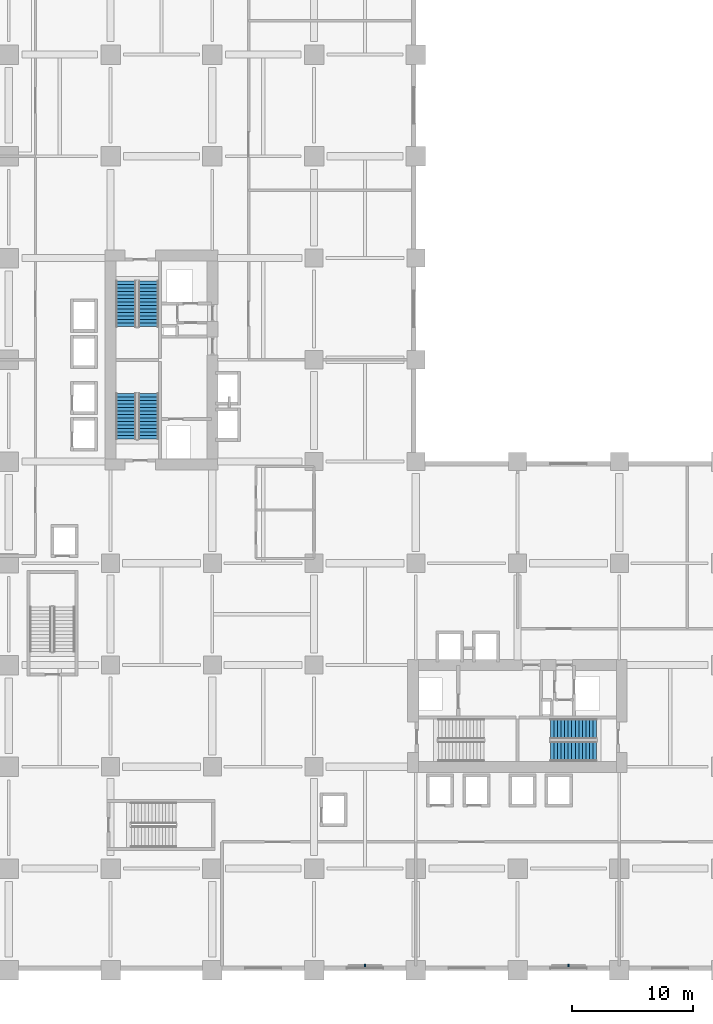
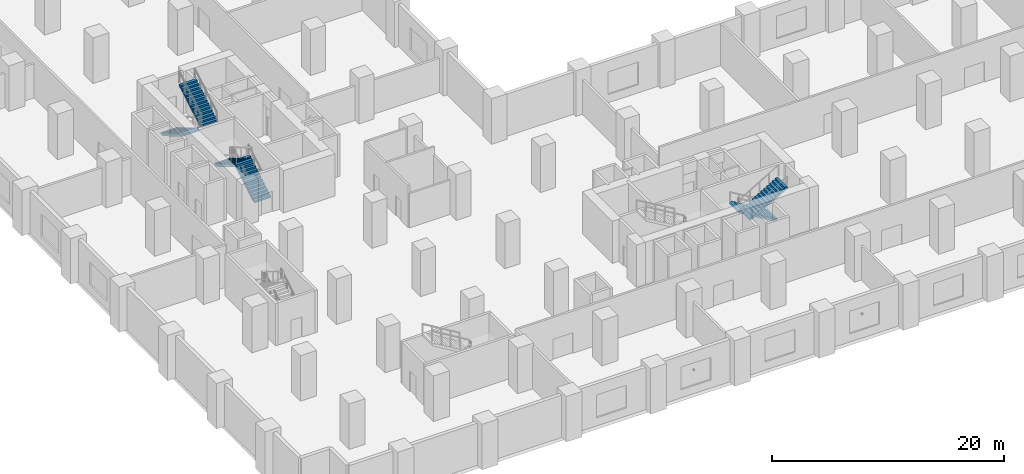
# One storey, part 15 of 22: 6 stair flights, 2 discrete accessories, 3 elements without a shape of their own.
"""IFC4 building model written with IfcOpenShell, lengths in metres."""

from ifc_helpers import new_model, si_unit, direction, frame, origin, origin_2d, place, context, subcontext, project, spatial, polyline, rectangle, outline, extrude, material, type_object, element, aggregate, save


model = new_model("IFC4")

# Units and contexts
model_context = context("Model", 3, precision=1e-05, world=origin(), true_north=direction((0.0, 1.0)))
body_context = subcontext(model_context, "Body", "Model", "MODEL_VIEW")
ifc_project = project(units=[si_unit("LENGTHUNIT", "METRE"), si_unit("AREAUNIT", "SQUARE_METRE"), si_unit("VOLUMEUNIT", "CUBIC_METRE"), si_unit("PLANEANGLEUNIT", "RADIAN"), si_unit("MASSUNIT", "GRAM", prefix="KILO")], contexts=[model_context])

# Site, building, storey
site_placement = place(None, origin())
site = spatial("IfcSite", under=ifc_project, at=site_placement, CompositionType="ELEMENT")
building_placement = place(site_placement, origin())
building = spatial("IfcBuilding", under=site, at=building_placement, Name="Koriwani Terraces Tower", CompositionType="ELEMENT")
storey_placement = place(building_placement, frame((0.0, 0.0, 6.0)))
storey = spatial("IfcBuildingStorey", under=building, at=storey_placement, Name="L01", CompositionType="ELEMENT", Elevation=6.0)

# Stair, stair flights
ifc_material_1 = material(Name="Concrete C40/50", Category="concrete")
stair_type = type_object("IfcStairType", Name="STAIR_CORE_DOGLEG_1650", PredefinedType="TWO_STRAIGHT_RUN_STAIR", material=ifc_material_1)
stair_1_placement = place(storey_placement, origin())
stair_1 = element("IfcStair", 1, at=stair_1_placement, inside=storey, type_object=stair_type, Name="L01 West Core Exit Stair 1", PredefinedType="HALF_TURN_STAIR")
stair_flight_type = type_object("IfcStairFlightType", Name="STAIR_FLIGHT_RC_1650", PredefinedType="STRAIGHT", material=ifc_material_1)
stair_flight_1_placement = place(storey_placement, frame((19.925048828125, 43.85009765625, 0.0), z_axis=(0.0, 0.0, 1.0), x_axis=(0.0, 1.0, 0.0)))
stair_flight_1 = element("IfcStairFlight", 2, at=stair_flight_1_placement, type_object=stair_flight_type, Name="ST-W1 flight 1", NumberOfRisers=14, NumberOfTreads=13, PredefinedType="STRAIGHT", RiserHeight=0.171428571, TreadLength=0.29, context=body_context, shape_type="SweptSolid", body=[
    extrude(outline(polyline([(0.0, 0.0), (0.0, 0.17138671875), (0.2900390625, 0.17138671875), (0.2900390625, 0.3427734375), (0.580078125, 0.3427734375), (0.580078125, 0.514404296875), (0.8701171875, 0.514404296875), (0.8701171875, 0.685791015625), (1.159912109375, 0.685791015625), (1.159912109375, 0.857177734375), (1.449951171875, 0.857177734375), (1.449951171875, 1.028564453125), (1.739990234375, 1.028564453125), (1.739990234375, 1.199951171875), (2.030029296875, 1.199951171875), (2.030029296875, 1.371337890625), (2.320068359375, 1.371337890625), (2.320068359375, 1.54296875), (2.610107421875, 1.54296875), (2.610107421875, 1.71435546875), (2.89990234375, 1.71435546875), (2.89990234375, 1.8857421875), (3.18994140625, 1.8857421875), (3.18994140625, 2.05712890625), (3.47998046875, 2.05712890625), (3.47998046875, 2.228515625), (3.77001953125, 2.228515625), (3.77001953125, 2.39990234375), (3.77001953125, 2.01953125), (0.353515625, 0.0), (0.0, 0.0)])), frame((0.0, 0.824951171875, 0.0), z_axis=(0.0, -1.0, 0.0), x_axis=(1.0, 0.0, 0.0)), (0.0, 0.0, 1.0), 1.64990234375),
])
stair_flight_2_placement = place(storey_placement, frame((18.074951171875, 47.6201171875, 2.39990234375), z_axis=(0.0, 0.0, 1.0), x_axis=(0.0, -1.0, 0.0)))
stair_flight_2 = element("IfcStairFlight", 3, at=stair_flight_2_placement, type_object=stair_flight_type, Name="ST-W1 flight 2", NumberOfRisers=14, NumberOfTreads=13, PredefinedType="STRAIGHT", RiserHeight=0.171428571, TreadLength=0.29, context=body_context, shape_type="SweptSolid", body=[
    extrude(outline(polyline([(0.0, 0.0), (0.0, 0.17138671875), (0.2900390625, 0.17138671875), (0.2900390625, 0.3427734375), (0.580078125, 0.3427734375), (0.580078125, 0.514404296875), (0.8701171875, 0.514404296875), (0.8701171875, 0.685791015625), (1.159912109375, 0.685791015625), (1.159912109375, 0.857177734375), (1.449951171875, 0.857177734375), (1.449951171875, 1.028564453125), (1.739990234375, 1.028564453125), (1.739990234375, 1.199951171875), (2.030029296875, 1.199951171875), (2.030029296875, 1.371337890625), (2.320068359375, 1.371337890625), (2.320068359375, 1.54296875), (2.610107421875, 1.54296875), (2.610107421875, 1.71435546875), (2.89990234375, 1.71435546875), (2.89990234375, 1.8857421875), (3.18994140625, 1.8857421875), (3.18994140625, 2.05712890625), (3.47998046875, 2.05712890625), (3.47998046875, 2.228515625), (3.77001953125, 2.228515625), (3.77001953125, 2.39990234375), (3.77001953125, 2.01953125), (0.353515625, 0.0), (0.0, 0.0)])), frame((0.0, 0.824951171875, 0.0), z_axis=(0.0, -1.0, 0.0), x_axis=(1.0, 0.0, 0.0)), (0.0, 0.0, 1.0), 1.64990234375),
])
aggregate(stair_1, [stair_flight_1, stair_flight_2])

stair_2_placement = place(storey_placement, origin())
stair_2 = element("IfcStair", 4, at=stair_2_placement, inside=storey, type_object=stair_type, Name="L01 West Core Exit Stair 2", PredefinedType="HALF_TURN_STAIR")
stair_flight_3_placement = place(storey_placement, frame((18.074951171875, 56.89990234375, 0.0), z_axis=(0.0, 0.0, 1.0), x_axis=(0.0, -1.0, 0.0)))
stair_flight_3 = element("IfcStairFlight", 5, at=stair_flight_3_placement, type_object=stair_flight_type, Name="ST-W2 flight 1", NumberOfRisers=14, NumberOfTreads=13, PredefinedType="STRAIGHT", RiserHeight=0.171428571, TreadLength=0.29, context=body_context, shape_type="SweptSolid", body=[
    extrude(outline(polyline([(0.0, 0.0), (0.0, 0.17138671875), (0.2900390625, 0.17138671875), (0.2900390625, 0.3427734375), (0.580078125, 0.3427734375), (0.580078125, 0.514404296875), (0.8701171875, 0.514404296875), (0.8701171875, 0.685791015625), (1.159912109375, 0.685791015625), (1.159912109375, 0.857177734375), (1.449951171875, 0.857177734375), (1.449951171875, 1.028564453125), (1.739990234375, 1.028564453125), (1.739990234375, 1.199951171875), (2.030029296875, 1.199951171875), (2.030029296875, 1.371337890625), (2.320068359375, 1.371337890625), (2.320068359375, 1.54296875), (2.610107421875, 1.54296875), (2.610107421875, 1.71435546875), (2.89990234375, 1.71435546875), (2.89990234375, 1.8857421875), (3.18994140625, 1.8857421875), (3.18994140625, 2.05712890625), (3.47998046875, 2.05712890625), (3.47998046875, 2.228515625), (3.77001953125, 2.228515625), (3.77001953125, 2.39990234375), (3.77001953125, 2.01953125), (0.353515625, 0.0), (0.0, 0.0)])), frame((0.0, 0.824951171875, 0.0), z_axis=(0.0, -1.0, 0.0), x_axis=(1.0, 0.0, 0.0)), (0.0, 0.0, 1.0), 1.64990234375),
])
stair_flight_4_placement = place(storey_placement, frame((19.925048828125, 53.1298828125, 2.39990234375), z_axis=(0.0, 0.0, 1.0), x_axis=(0.0, 1.0, 0.0)))
stair_flight_4 = element("IfcStairFlight", 6, at=stair_flight_4_placement, type_object=stair_flight_type, Name="ST-W2 flight 2", NumberOfRisers=14, NumberOfTreads=13, PredefinedType="STRAIGHT", RiserHeight=0.171428571, TreadLength=0.29, context=body_context, shape_type="SweptSolid", body=[
    extrude(outline(polyline([(0.0, 0.0), (0.0, 0.17138671875), (0.2900390625, 0.17138671875), (0.2900390625, 0.3427734375), (0.580078125, 0.3427734375), (0.580078125, 0.514404296875), (0.8701171875, 0.514404296875), (0.8701171875, 0.685791015625), (1.159912109375, 0.685791015625), (1.159912109375, 0.857177734375), (1.449951171875, 0.857177734375), (1.449951171875, 1.028564453125), (1.739990234375, 1.028564453125), (1.739990234375, 1.199951171875), (2.030029296875, 1.199951171875), (2.030029296875, 1.371337890625), (2.320068359375, 1.371337890625), (2.320068359375, 1.54296875), (2.610107421875, 1.54296875), (2.610107421875, 1.71435546875), (2.89990234375, 1.71435546875), (2.89990234375, 1.8857421875), (3.18994140625, 1.8857421875), (3.18994140625, 2.05712890625), (3.47998046875, 2.05712890625), (3.47998046875, 2.228515625), (3.77001953125, 2.228515625), (3.77001953125, 2.39990234375), (3.77001953125, 2.01953125), (0.353515625, 0.0), (0.0, 0.0)])), frame((0.0, 0.824951171875, 0.0), z_axis=(0.0, -1.0, 0.0), x_axis=(1.0, 0.0, 0.0)), (0.0, 0.0, 1.0), 1.64990234375),
])
aggregate(stair_2, [stair_flight_3, stair_flight_4])

stair_3_placement = place(storey_placement, origin())
stair_3 = element("IfcStair", 7, at=stair_3_placement, inside=storey, type_object=stair_type, Name="L01 East Core Exit Stair 2", PredefinedType="HALF_TURN_STAIR")
stair_flight_5_placement = place(storey_placement, frame((56.89990234375, 19.925048828125, 0.0), z_axis=(0.0, 0.0, 1.0), x_axis=(-1.0, 0.0, 0.0)))
stair_flight_5 = element("IfcStairFlight", 8, at=stair_flight_5_placement, type_object=stair_flight_type, Name="ST-E2 flight 1", NumberOfRisers=14, NumberOfTreads=13, PredefinedType="STRAIGHT", RiserHeight=0.171428571, TreadLength=0.29, context=body_context, shape_type="SweptSolid", body=[
    extrude(outline(polyline([(0.0, 0.0), (0.0, 0.17138671875), (0.2900390625, 0.17138671875), (0.2900390625, 0.3427734375), (0.580078125, 0.3427734375), (0.580078125, 0.514404296875), (0.8701171875, 0.514404296875), (0.8701171875, 0.685791015625), (1.159912109375, 0.685791015625), (1.159912109375, 0.857177734375), (1.449951171875, 0.857177734375), (1.449951171875, 1.028564453125), (1.739990234375, 1.028564453125), (1.739990234375, 1.199951171875), (2.030029296875, 1.199951171875), (2.030029296875, 1.371337890625), (2.320068359375, 1.371337890625), (2.320068359375, 1.54296875), (2.610107421875, 1.54296875), (2.610107421875, 1.71435546875), (2.89990234375, 1.71435546875), (2.89990234375, 1.8857421875), (3.18994140625, 1.8857421875), (3.18994140625, 2.05712890625), (3.47998046875, 2.05712890625), (3.47998046875, 2.228515625), (3.77001953125, 2.228515625), (3.77001953125, 2.39990234375), (3.77001953125, 2.01953125), (0.353515625, 0.0), (0.0, 0.0)])), frame((0.0, 0.824951171875, 0.0), z_axis=(0.0, -1.0, 0.0), x_axis=(1.0, 0.0, 0.0)), (0.0, 0.0, 1.0), 1.64990234375),
])
stair_flight_6_placement = place(storey_placement, frame((53.1298828125, 18.074951171875, 2.39990234375), z_axis=(0.0, 0.0, 1.0), x_axis=(1.0, 0.0, 0.0)))
stair_flight_6 = element("IfcStairFlight", 9, at=stair_flight_6_placement, type_object=stair_flight_type, Name="ST-E2 flight 2", NumberOfRisers=14, NumberOfTreads=13, PredefinedType="STRAIGHT", RiserHeight=0.171428571, TreadLength=0.29, context=body_context, shape_type="SweptSolid", body=[
    extrude(outline(polyline([(0.0, 0.0), (0.0, 0.17138671875), (0.2900390625, 0.17138671875), (0.2900390625, 0.3427734375), (0.580078125, 0.3427734375), (0.580078125, 0.514404296875), (0.8701171875, 0.514404296875), (0.8701171875, 0.685791015625), (1.159912109375, 0.685791015625), (1.159912109375, 0.857177734375), (1.449951171875, 0.857177734375), (1.449951171875, 1.028564453125), (1.739990234375, 1.028564453125), (1.739990234375, 1.199951171875), (2.030029296875, 1.199951171875), (2.030029296875, 1.371337890625), (2.320068359375, 1.371337890625), (2.320068359375, 1.54296875), (2.610107421875, 1.54296875), (2.610107421875, 1.71435546875), (2.89990234375, 1.71435546875), (2.89990234375, 1.8857421875), (3.18994140625, 1.8857421875), (3.18994140625, 2.05712890625), (3.47998046875, 2.05712890625), (3.47998046875, 2.228515625), (3.77001953125, 2.228515625), (3.77001953125, 2.39990234375), (3.77001953125, 2.01953125), (0.353515625, 0.0), (0.0, 0.0)])), frame((0.0, 0.824951171875, 0.0), z_axis=(0.0, -1.0, 0.0), x_axis=(1.0, 0.0, 0.0)), (0.0, 0.0, 1.0), 1.64990234375),
])
aggregate(stair_3, [stair_flight_5, stair_flight_6])

# Discrete accessories
ifc_material_2 = material(Name="Steel ASTM A572 Grade 50", Category="steel")
discrete_accessory_type = type_object("IfcDiscreteAccessoryType", Name="BAGUETTE_STANDOFF_BRACKET", PredefinedType="BRACKET", material=ifc_material_2)
for number, where, z_axis, x_axis, name in (
    (10, (37.800048828125, 0.389892578125, 2.13525390625), (0.0, 0.0, 1.0), (-1.0, 0.0, 0.0), "L01 Terracotta Baguette Bracket (S-12)"),
    (11, (54.60009765625, 0.389892578125, 2.13525390625), (0.0, 0.0, 1.0), (-1.0, 0.0, 0.0), "L01 Terracotta Baguette Bracket (S-18)"),
):
    element("IfcDiscreteAccessory", number, at=place(storey_placement, frame(where, z_axis=z_axis, x_axis=x_axis)), inside=storey, type_object=discrete_accessory_type, Name=name, PredefinedType="BRACKET", context=body_context, shape_type="SweptSolid", body=[
        extrude(rectangle(XDim=0.159912109375, YDim=0.199951171875, at=origin_2d()), origin(), (0.0, 0.0, 1.0), 0.179931640625),
    ])

save(model, "model.ifc")
